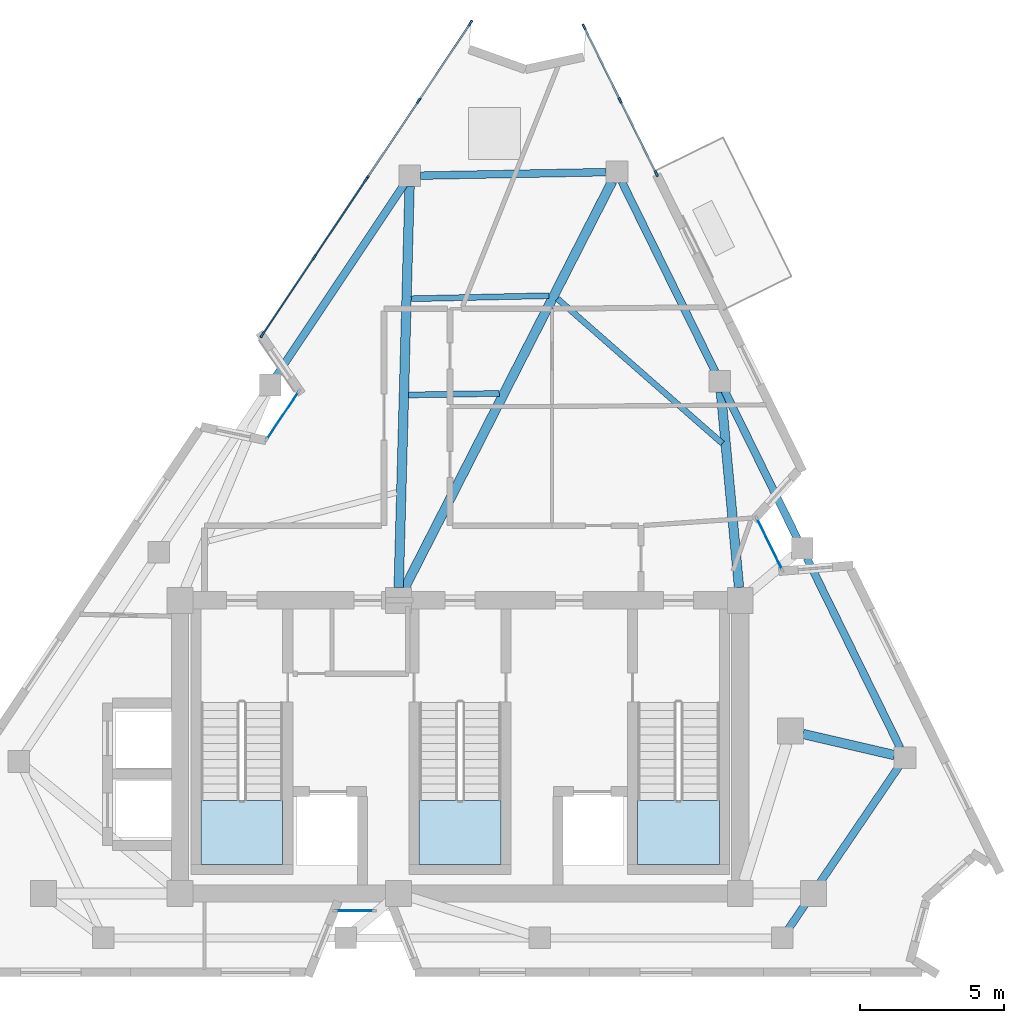
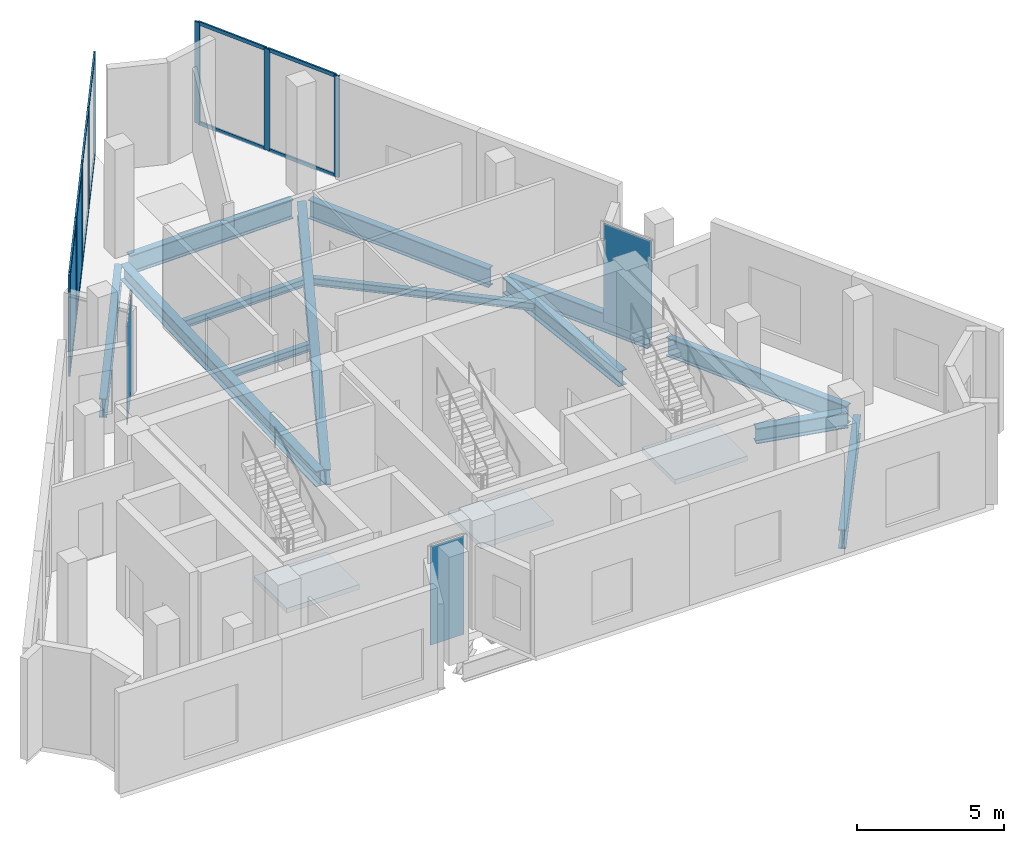
# One storey, part 3 of 8: 21 members, 13 beams, 5 plates, 3 slabs, 9 elements without a shape of their own.
"""IFC4 building model written with IfcOpenShell, lengths in metres."""

from ifc_helpers import new_model, si_unit, direction, frame, origin, origin_2d, place, context, subcontext, project, spatial, polyline, rectangle, i_section, outline, extrude, material, layer, layer_set, material_profile, profile_set, type_object, element, aggregate, save


model = new_model("IFC4")

# Units and contexts
model_context = context("Model", 3, precision=1e-05, world=origin(), true_north=direction((0.0, 1.0)))
body_context = subcontext(model_context, "Body", "Model", "MODEL_VIEW")
ifc_project = project(units=[si_unit("LENGTHUNIT", "METRE"), si_unit("AREAUNIT", "SQUARE_METRE"), si_unit("VOLUMEUNIT", "CUBIC_METRE"), si_unit("PLANEANGLEUNIT", "RADIAN"), si_unit("MASSUNIT", "GRAM", prefix="KILO")], contexts=[model_context])

# Site, building, storey
site_placement = place(None, origin())
site = spatial("IfcSite", under=ifc_project, at=site_placement, CompositionType="ELEMENT")
building_placement = place(site_placement, origin())
building = spatial("IfcBuilding", under=site, at=building_placement, Name="Almagre Mirador Tower", CompositionType="ELEMENT")
storey_placement = place(building_placement, frame((0.0, 0.0, 294.0)))
storey = spatial("IfcBuildingStorey", under=building, at=storey_placement, Name="L76", CompositionType="ELEMENT", Elevation=294.0)

# Beams
ifc_material_1 = material(Name="Steel ASTM A992 Grade 50", Category="steel")
ifc_material_profile_1 = material_profile(ifc_material_1, i_section(OverallWidth=0.205078125, OverallDepth=0.31005859375, WebThickness=0.009521484375, FlangeThickness=0.016357421875, FilletRadius=0.013916015625, at=origin_2d()), Name="W12X50")
ifc_profile_set_1 = profile_set([ifc_material_profile_1], Name="Steel ASTM A992 Grade 50")
beam_type_1 = type_object("IfcBeamType", Name="BM-JST-W12X50", PredefinedType="JOIST", material=ifc_profile_set_1)
beam_1_placement = place(storey_placement, frame((46.428955078125, 20.21044921875, -0.455078125), z_axis=(-0.751528342679, 0.659700803509, 0.0), x_axis=(-0.659700803509, -0.751528342679, 0.0)))
element("IfcBeam", 1, at=beam_1_placement, inside=storey, type_object=beam_type_1, Name="L76 secondary floor joist PC07-PC08.1", PredefinedType="JOIST", context=body_context, shape_type="SweptSolid", body=[
    extrude(i_section(OverallWidth=0.205078125, OverallDepth=0.31005859375, WebThickness=0.009521484375, FlangeThickness=0.016357421875, FilletRadius=0.013916015625, at=origin_2d()), origin(), (0.0, 0.0, 1.0), 7.638427734375),
])
beam_2_placement = place(storey_placement, frame((40.3994140625, 25.354736328125, -0.455078125), z_axis=(-0.999754080781, -0.022176067319, 0.0), x_axis=(0.022176067319, -0.999754080781, 0.0)))
element("IfcBeam", 2, at=beam_2_placement, inside=storey, type_object=beam_type_1, Name="L76 secondary floor joist PC08-PC09.1", PredefinedType="JOIST", context=body_context, shape_type="SweptSolid", body=[
    extrude(i_section(OverallWidth=0.205078125, OverallDepth=0.31005859375, WebThickness=0.009521484375, FlangeThickness=0.016357421875, FilletRadius=0.013916015625, at=origin_2d()), origin(), (0.0, 0.0, 1.0), 4.800048828125),
])
beam_3_placement = place(storey_placement, frame((38.662841796875, 21.952880859375, -0.455078125), z_axis=(-0.999854967676, -0.017030666839, 0.0), x_axis=(0.017030666839, -0.999854967676, 0.0)))
element("IfcBeam", 3, at=beam_3_placement, inside=storey, type_object=beam_type_1, Name="L76 secondary floor joist PC08-PC09.2", PredefinedType="JOIST", context=body_context, shape_type="SweptSolid", body=[
    extrude(i_section(OverallWidth=0.205078125, OverallDepth=0.31005859375, WebThickness=0.009521484375, FlangeThickness=0.016357421875, FilletRadius=0.013916015625, at=origin_2d()), origin(), (0.0, 0.0, 1.0), 3.15380859375),
])
ifc_material_2 = material(Name="Steel ASTM A992 Grade 50", Category="steel")
ifc_material_profile_2 = material_profile(ifc_material_2, i_section(OverallWidth=0.26708984375, OverallDepth=0.779052734375, WebThickness=0.0166015625, FlangeThickness=0.030029296875, FilletRadius=0.02392578125, at=origin_2d()), Name="W30X148")
ifc_profile_set_2 = profile_set([ifc_material_profile_2], Name="Steel ASTM A992 Grade 50")
beam_type_2 = type_object("IfcBeamType", Name="BM-SPN-W30X148", PredefinedType="SPANDREL", material=ifc_profile_set_2)
beam_4_placement = place(storey_placement, frame((48.726806640625, 3.31005859375, -0.689453125), z_axis=(0.562310021407, 0.82692650207, 0.0), x_axis=(-0.82692650207, 0.562310021407, 0.0)))
element("IfcBeam", 4, at=beam_4_placement, inside=storey, type_object=beam_type_2, Name="L76 perimeter spandrel beam PC04-PC05", PredefinedType="SPANDREL", context=body_context, shape_type="SweptSolid", body=[
    extrude(i_section(OverallWidth=0.26708984375, OverallDepth=0.779052734375, WebThickness=0.0166015625, FlangeThickness=0.030029296875, FilletRadius=0.02392578125, at=origin_2d()), origin(), (0.0, 0.0, 1.0), 6.842041015625),
])
beam_5_placement = place(storey_placement, frame((52.619384765625, 9.614501953125, -0.689453125), z_axis=(-0.441261435998, 0.897378596302, 0.0), x_axis=(-0.897378596302, -0.441261435998, 0.0)))
element("IfcBeam", 5, at=beam_5_placement, inside=storey, type_object=beam_type_2, Name="L76 perimeter spandrel beam PC05-PC06", PredefinedType="SPANDREL", context=body_context, shape_type="SweptSolid", body=[
    extrude(i_section(OverallWidth=0.26708984375, OverallDepth=0.779052734375, WebThickness=0.0166015625, FlangeThickness=0.030029296875, FilletRadius=0.02392578125, at=origin_2d()), origin(), (0.0, 0.0, 1.0), 7.362548828125),
])
beam_6_placement = place(storey_placement, frame((49.03955078125, 16.89453125, -0.689453125), z_axis=(-0.441283159843, 0.897367913867, 0.0), x_axis=(-0.897367913867, -0.441283159843, 0.0)))
element("IfcBeam", 6, at=beam_6_placement, inside=storey, type_object=beam_type_2, Name="L76 perimeter spandrel beam PC06-PC07", PredefinedType="SPANDREL", context=body_context, shape_type="SweptSolid", body=[
    extrude(i_section(OverallWidth=0.26708984375, OverallDepth=0.779052734375, WebThickness=0.0166015625, FlangeThickness=0.030029296875, FilletRadius=0.02392578125, at=origin_2d()), origin(), (0.0, 0.0, 1.0), 5.739990234375),
])
beam_7_placement = place(storey_placement, frame((46.175537109375, 22.718505859375, -0.689453125), z_axis=(-0.441288138853, 0.897365465408, 0.0), x_axis=(-0.897365465408, -0.441288138853, 0.0)))
element("IfcBeam", 7, at=beam_7_placement, inside=storey, type_object=beam_type_2, Name="L76 perimeter spandrel beam PC07-PC08", PredefinedType="SPANDREL", context=body_context, shape_type="SweptSolid", body=[
    extrude(i_section(OverallWidth=0.26708984375, OverallDepth=0.779052734375, WebThickness=0.0166015625, FlangeThickness=0.030029296875, FilletRadius=0.02392578125, at=origin_2d()), origin(), (0.0, 0.0, 1.0), 7.362548828125),
])
beam_8_placement = place(storey_placement, frame((42.385986328125, 29.65478515625, -0.689453125), z_axis=(-0.99982288109, -0.018820373253, 0.0), x_axis=(0.018820373253, -0.99982288109, 0.0)))
element("IfcBeam", 8, at=beam_8_placement, inside=storey, type_object=beam_type_2, Name="L76 perimeter spandrel beam PC08-PC09", PredefinedType="SPANDREL", context=body_context, shape_type="SweptSolid", body=[
    extrude(i_section(OverallWidth=0.26708984375, OverallDepth=0.779052734375, WebThickness=0.0166015625, FlangeThickness=0.030029296875, FilletRadius=0.02392578125, at=origin_2d()), origin(), (0.0, 0.0, 1.0), 6.460205078125),
])
beam_9_placement = place(storey_placement, frame((35.34375, 29.214111328125, -0.689453125), z_axis=(-0.555228061938, -0.831698141898, 0.0), x_axis=(0.831698141898, -0.555228061938, 0.0)))
element("IfcBeam", 9, at=beam_9_placement, inside=storey, type_object=beam_type_2, Name="L76 perimeter spandrel beam PC09-PC10", PredefinedType="SPANDREL", context=body_context, shape_type="SweptSolid", body=[
    extrude(i_section(OverallWidth=0.26708984375, OverallDepth=0.779052734375, WebThickness=0.0166015625, FlangeThickness=0.030029296875, FilletRadius=0.02392578125, at=origin_2d()), origin(), (0.0, 0.0, 1.0), 8.003173828125),
])
ifc_material_3 = material(Name="Steel ASTM A992 Grade 50", Category="steel")
ifc_material_profile_3 = material_profile(ifc_material_3, i_section(OverallWidth=0.330078125, OverallDepth=0.635009765625, WebThickness=0.017822265625, FlangeThickness=0.031005859375, FilletRadius=0.02001953125, at=origin_2d()), Name="W24X162")
ifc_profile_set_3 = profile_set([ifc_material_profile_3], Name="Steel ASTM A992 Grade 50")
beam_type_3 = type_object("IfcBeamType", Name="BM-STL-W24X162", PredefinedType="BEAM", material=ifc_profile_set_3)
beam_10_placement = place(storey_placement, frame((52.419677734375, 9.362548828125, -0.617431640625), z_axis=(-0.974262507949, 0.225416427094, 0.0), x_axis=(-0.225416427094, -0.974262507949, 0.0)))
element("IfcBeam", 10, at=beam_10_placement, inside=storey, type_object=beam_type_3, Name="L76 radial floor girder PC05-MC3", PredefinedType="BEAM", context=body_context, shape_type="SweptSolid", body=[
    extrude(i_section(OverallWidth=0.330078125, OverallDepth=0.635009765625, WebThickness=0.017822265625, FlangeThickness=0.031005859375, FilletRadius=0.02001953125, at=origin_2d()), origin(), (0.0, 0.0, 1.0), 3.265380859375),
])
beam_11_placement = place(storey_placement, frame((46.375732421875, 22.008544921875, -0.617431640625), z_axis=(0.092482640645, -0.995714296964, 0.0), x_axis=(0.995714296964, 0.092482640645, 0.0)))
element("IfcBeam", 11, at=beam_11_placement, inside=storey, type_object=beam_type_3, Name="L76 radial floor girder PC07-CC6", PredefinedType="BEAM", context=body_context, shape_type="SweptSolid", body=[
    extrude(i_section(OverallWidth=0.330078125, OverallDepth=0.635009765625, WebThickness=0.017822265625, FlangeThickness=0.031005859375, FilletRadius=0.02001953125, at=origin_2d()), origin(), (0.0, 0.0, 1.0), 6.83984375),
])
beam_12_placement = place(storey_placement, frame((42.590576171875, 29.327880859375, -0.617431640625), z_axis=(-0.454615883483, -0.890687598704, 0.0), x_axis=(0.890687598704, -0.454615883483, 0.0)))
element("IfcBeam", 12, at=beam_12_placement, inside=storey, type_object=beam_type_3, Name="L76 radial floor girder PC08-CC5", PredefinedType="BEAM", context=body_context, shape_type="SweptSolid", body=[
    extrude(i_section(OverallWidth=0.330078125, OverallDepth=0.635009765625, WebThickness=0.017822265625, FlangeThickness=0.031005859375, FilletRadius=0.02001953125, at=origin_2d()), origin(), (0.0, 0.0, 1.0), 15.9169921875),
])
beam_13_placement = place(storey_placement, frame((35.541748046875, 29.151123046875, -0.617431640625), z_axis=(-0.027201410592, -0.999629973171, 0.0), x_axis=(0.999629973171, -0.027201410592, 0.0)))
element("IfcBeam", 13, at=beam_13_placement, inside=storey, type_object=beam_type_3, Name="L76 radial floor girder PC09-CC5", PredefinedType="BEAM", context=body_context, shape_type="SweptSolid", body=[
    extrude(i_section(OverallWidth=0.330078125, OverallDepth=0.635009765625, WebThickness=0.017822265625, FlangeThickness=0.031005859375, FilletRadius=0.02001953125, at=origin_2d()), origin(), (0.0, 0.0, 1.0), 13.95654296875),
])

# Curtain wall, members
ifc_material_4 = material(Name="Black anodized aluminium", Category="aluminium")
ifc_layer_1 = layer(ifc_material_4, 0.22998046875)
ifc_layer_set_1 = layer_set([ifc_layer_1], Name="Black anodized aluminium")
curtain_wall_type_1 = type_object("IfcCurtainWallType", Name="CW-SKY-SYS", PredefinedType="NOTDEFINED", material=ifc_layer_set_1)
curtain_wall_1_placement = place(storey_placement, origin())
curtain_wall_1 = element("IfcCurtainWall", 14, at=curtain_wall_1_placement, inside=storey, type_object=curtain_wall_type_1, Name="L76 curtain wall run 02", PredefinedType="NOTDEFINED")
ifc_material_5 = material(Name="Black anodized aluminium", Category="aluminium")
ifc_material_profile_4 = material_profile(ifc_material_5, rectangle(XDim=0.070068359375, YDim=0.2099609375, at=origin_2d()), Name="CWM70X210")
ifc_profile_set_4 = profile_set([ifc_material_profile_4], Name="Black anodized aluminium")
member_type_1 = type_object("IfcMemberType", Name="MBR-CWM70X210", PredefinedType="MULLION", material=ifc_profile_set_4)
member_1_placement = place(storey_placement, frame((30.413330078125, 23.989013671875, 0.0), z_axis=(0.0, 0.0, 1.0), x_axis=(-0.83171011175, 0.555210131404, 0.0)))
member_1 = element("IfcMember", 15, at=member_1_placement, type_object=member_type_1, Name="CW-5 mullion 1", PredefinedType="MULLION", context=body_context, shape_type="SweptSolid", body=[
    extrude(rectangle(XDim=0.070068359375, YDim=0.2099609375, at=origin_2d()), origin(), (0.0, 0.0, 1.0), 4.199951171875),
])
member_2_placement = place(storey_placement, frame((32.21533203125, 26.688232421875, 0.0), z_axis=(0.0, 0.0, 1.0), x_axis=(-0.83171011175, 0.555210131404, 0.0)))
member_2 = element("IfcMember", 16, at=member_2_placement, type_object=member_type_1, Name="CW-5 mullion 2", PredefinedType="MULLION", context=body_context, shape_type="SweptSolid", body=[
    extrude(rectangle(XDim=0.070068359375, YDim=0.2099609375, at=origin_2d()), origin(), (0.0, 0.0, 1.0), 4.199951171875),
])
member_3_placement = place(storey_placement, frame((34.01708984375, 29.387451171875, 0.0), z_axis=(0.0, 0.0, 1.0), x_axis=(-0.83171011175, 0.555210131404, 0.0)))
member_3 = element("IfcMember", 17, at=member_3_placement, type_object=member_type_1, Name="CW-5 mullion 3", PredefinedType="MULLION", context=body_context, shape_type="SweptSolid", body=[
    extrude(rectangle(XDim=0.070068359375, YDim=0.2099609375, at=origin_2d()), origin(), (0.0, 0.0, 1.0), 4.199951171875),
])

curtain_wall_2_placement = place(storey_placement, origin())
curtain_wall_2 = element("IfcCurtainWall", 18, at=curtain_wall_2_placement, inside=storey, type_object=curtain_wall_type_1, Name="L76 curtain wall run 03", PredefinedType="NOTDEFINED")
member_4_placement = place(storey_placement, frame((34.055908203125, 29.445556640625, 0.0), z_axis=(0.0, 0.0, 1.0), x_axis=(-0.83171011175, 0.555210131404, 0.0)))
member_4 = element("IfcMember", 19, at=member_4_placement, type_object=member_type_1, Name="CW-5 mullion 1", PredefinedType="MULLION", context=body_context, shape_type="SweptSolid", body=[
    extrude(rectangle(XDim=0.070068359375, YDim=0.2099609375, at=origin_2d()), origin(), (0.0, 0.0, 1.0), 4.199951171875),
])
member_5_placement = place(storey_placement, frame((35.857666015625, 32.144775390625, 0.0), z_axis=(0.0, 0.0, 1.0), x_axis=(-0.83171011175, 0.555210131404, 0.0)))
member_5 = element("IfcMember", 20, at=member_5_placement, type_object=member_type_1, Name="CW-5 mullion 2", PredefinedType="MULLION", context=body_context, shape_type="SweptSolid", body=[
    extrude(rectangle(XDim=0.070068359375, YDim=0.2099609375, at=origin_2d()), origin(), (0.0, 0.0, 1.0), 4.199951171875),
])
member_6_placement = place(storey_placement, frame((37.65966796875, 34.843994140625, 0.0), z_axis=(0.0, 0.0, 1.0), x_axis=(-0.83171011175, 0.555210131404, 0.0)))
member_6 = element("IfcMember", 21, at=member_6_placement, type_object=member_type_1, Name="CW-5 mullion 3", PredefinedType="MULLION", context=body_context, shape_type="SweptSolid", body=[
    extrude(rectangle(XDim=0.070068359375, YDim=0.2099609375, at=origin_2d()), origin(), (0.0, 0.0, 1.0), 4.199951171875),
])

curtain_wall_3_placement = place(storey_placement, origin())
curtain_wall_3 = element("IfcCurtainWall", 22, at=curtain_wall_3_placement, inside=storey, type_object=curtain_wall_type_1, Name="L76 curtain wall run 04", PredefinedType="NOTDEFINED")
member_7_placement = place(storey_placement, frame((41.61865234375, 34.705078125, 0.0), z_axis=(0.0, 0.0, 1.0), x_axis=(0.897371508348, 0.441275850241, 0.0)))
member_7 = element("IfcMember", 23, at=member_7_placement, type_object=member_type_1, Name="CW-5 mullion 1", PredefinedType="MULLION", context=body_context, shape_type="SweptSolid", body=[
    extrude(rectangle(XDim=0.070068359375, YDim=0.2099609375, at=origin_2d()), origin(), (0.0, 0.0, 1.0), 4.199951171875),
])
member_8_placement = place(storey_placement, frame((42.873046875, 32.154052734375, 0.0), z_axis=(0.0, 0.0, 1.0), x_axis=(0.897371508348, 0.441275850241, 0.0)))
member_8 = element("IfcMember", 24, at=member_8_placement, type_object=member_type_1, Name="CW-5 mullion 2", PredefinedType="MULLION", context=body_context, shape_type="SweptSolid", body=[
    extrude(rectangle(XDim=0.070068359375, YDim=0.2099609375, at=origin_2d()), origin(), (0.0, 0.0, 1.0), 4.199951171875),
])
member_9_placement = place(storey_placement, frame((44.127685546875, 29.60302734375, 0.0), z_axis=(0.0, 0.0, 1.0), x_axis=(0.897371508348, 0.441275850241, 0.0)))
member_9 = element("IfcMember", 25, at=member_9_placement, type_object=member_type_1, Name="CW-5 mullion 3", PredefinedType="MULLION", context=body_context, shape_type="SweptSolid", body=[
    extrude(rectangle(XDim=0.070068359375, YDim=0.2099609375, at=origin_2d()), origin(), (0.0, 0.0, 1.0), 4.199951171875),
])

# Member
ifc_material_6 = material(Name="Black anodized aluminium", Category="aluminium")
ifc_material_profile_5 = material_profile(ifc_material_6, rectangle(XDim=0.06494140625, YDim=0.14990234375, at=origin_2d()), Name="CWT65X150")
ifc_profile_set_5 = profile_set([ifc_material_profile_5], Name="Black anodized aluminium")
member_type_2 = type_object("IfcMemberType", Name="MBR-CWT65X150", PredefinedType="USERDEFINED", material=ifc_profile_set_5)
member_10_placement = place(storey_placement, frame((30.432861328125, 24.018310546875, 0.032470703125), z_axis=(0.555214654242, 0.8317070925, 0.0), x_axis=(-0.8317070925, 0.555214654242, 0.0)))
member_10 = element("IfcMember", 26, at=member_10_placement, type_object=member_type_2, Name="CW-5 transom 1.1", ObjectType="TRANSOM", PredefinedType="USERDEFINED", context=body_context, shape_type="SweptSolid", body=[
    extrude(rectangle(XDim=0.06494140625, YDim=0.14990234375, at=origin_2d()), origin(), (0.0, 0.0, 1.0), 3.17529296875),
])

member_11_placement = place(storey_placement, frame((30.432861328125, 24.018310546875, 4.16748046875), z_axis=(0.555214654242, 0.8317070925, 0.0), x_axis=(-0.8317070925, 0.555214654242, 0.0)))
member_11 = element("IfcMember", 27, at=member_11_placement, type_object=member_type_2, Name="CW-5 transom 1.2", ObjectType="TRANSOM", PredefinedType="USERDEFINED", context=body_context, shape_type="SweptSolid", body=[
    extrude(rectangle(XDim=0.06494140625, YDim=0.14990234375, at=origin_2d()), origin(), (0.0, 0.0, 1.0), 3.17529296875),
])

member_12_placement = place(storey_placement, frame((32.234619140625, 26.71728515625, 0.032470703125), z_axis=(0.555179150567, 0.831730792249, 0.0), x_axis=(-0.831730792249, 0.555179150567, 0.0)))
member_12 = element("IfcMember", 28, at=member_12_placement, type_object=member_type_2, Name="CW-5 transom 2.1", ObjectType="TRANSOM", PredefinedType="USERDEFINED", context=body_context, shape_type="SweptSolid", body=[
    extrude(rectangle(XDim=0.06494140625, YDim=0.14990234375, at=origin_2d()), origin(), (0.0, 0.0, 1.0), 3.175537109375),
])

member_13_placement = place(storey_placement, frame((32.234619140625, 26.71728515625, 4.16748046875), z_axis=(0.555179150567, 0.831730792249, 0.0), x_axis=(-0.831730792249, 0.555179150567, 0.0)))
member_13 = element("IfcMember", 29, at=member_13_placement, type_object=member_type_2, Name="CW-5 transom 2.2", ObjectType="TRANSOM", PredefinedType="USERDEFINED", context=body_context, shape_type="SweptSolid", body=[
    extrude(rectangle(XDim=0.06494140625, YDim=0.14990234375, at=origin_2d()), origin(), (0.0, 0.0, 1.0), 3.175537109375),
])

member_14_placement = place(storey_placement, frame((34.075439453125, 29.474609375, 0.032470703125), z_axis=(0.555179150567, 0.831730792249, 0.0), x_axis=(-0.831730792249, 0.555179150567, 0.0)))
member_14 = element("IfcMember", 30, at=member_14_placement, type_object=member_type_2, Name="CW-5 transom 1.1", ObjectType="TRANSOM", PredefinedType="USERDEFINED", context=body_context, shape_type="SweptSolid", body=[
    extrude(rectangle(XDim=0.06494140625, YDim=0.14990234375, at=origin_2d()), origin(), (0.0, 0.0, 1.0), 3.175537109375),
])

member_15_placement = place(storey_placement, frame((34.075439453125, 29.474609375, 4.16748046875), z_axis=(0.555179150567, 0.831730792249, 0.0), x_axis=(-0.831730792249, 0.555179150567, 0.0)))
member_15 = element("IfcMember", 31, at=member_15_placement, type_object=member_type_2, Name="CW-5 transom 1.2", ObjectType="TRANSOM", PredefinedType="USERDEFINED", context=body_context, shape_type="SweptSolid", body=[
    extrude(rectangle(XDim=0.06494140625, YDim=0.14990234375, at=origin_2d()), origin(), (0.0, 0.0, 1.0), 3.175537109375),
])

member_16_placement = place(storey_placement, frame((35.877197265625, 32.173828125, 0.032470703125), z_axis=(0.555214654242, 0.8317070925, 0.0), x_axis=(-0.8317070925, 0.555214654242, 0.0)))
member_16 = element("IfcMember", 32, at=member_16_placement, type_object=member_type_2, Name="CW-5 transom 2.1", ObjectType="TRANSOM", PredefinedType="USERDEFINED", context=body_context, shape_type="SweptSolid", body=[
    extrude(rectangle(XDim=0.06494140625, YDim=0.14990234375, at=origin_2d()), origin(), (0.0, 0.0, 1.0), 3.17529296875),
])

member_17_placement = place(storey_placement, frame((35.877197265625, 32.173828125, 4.16748046875), z_axis=(0.555214654242, 0.8317070925, 0.0), x_axis=(-0.8317070925, 0.555214654242, 0.0)))
member_17 = element("IfcMember", 33, at=member_17_placement, type_object=member_type_2, Name="CW-5 transom 2.2", ObjectType="TRANSOM", PredefinedType="USERDEFINED", context=body_context, shape_type="SweptSolid", body=[
    extrude(rectangle(XDim=0.06494140625, YDim=0.14990234375, at=origin_2d()), origin(), (0.0, 0.0, 1.0), 3.17529296875),
])

aggregate(curtain_wall_2, [member_4, member_5, member_6, member_14, member_15, member_16, member_17])

member_18_placement = place(storey_placement, frame((41.634033203125, 34.673828125, 0.032470703125), z_axis=(0.441287111842, -0.89736597045, 0.0), x_axis=(0.89736597045, 0.441287111842, 0.0)))
member_18 = element("IfcMember", 34, at=member_18_placement, type_object=member_type_2, Name="CW-5 transom 1.1", ObjectType="TRANSOM", PredefinedType="USERDEFINED", context=body_context, shape_type="SweptSolid", body=[
    extrude(rectangle(XDim=0.06494140625, YDim=0.14990234375, at=origin_2d()), origin(), (0.0, 0.0, 1.0), 2.77294921875),
])

member_19_placement = place(storey_placement, frame((41.634033203125, 34.673828125, 4.16748046875), z_axis=(0.441287111842, -0.89736597045, 0.0), x_axis=(0.89736597045, 0.441287111842, 0.0)))
member_19 = element("IfcMember", 35, at=member_19_placement, type_object=member_type_2, Name="CW-5 transom 1.2", ObjectType="TRANSOM", PredefinedType="USERDEFINED", context=body_context, shape_type="SweptSolid", body=[
    extrude(rectangle(XDim=0.06494140625, YDim=0.14990234375, at=origin_2d()), origin(), (0.0, 0.0, 1.0), 2.77294921875),
])

member_20_placement = place(storey_placement, frame((42.888671875, 32.12255859375, 0.032470703125), z_axis=(0.441287111842, -0.89736597045, 0.0), x_axis=(0.89736597045, 0.441287111842, 0.0)))
member_20 = element("IfcMember", 36, at=member_20_placement, type_object=member_type_2, Name="CW-5 transom 2.1", ObjectType="TRANSOM", PredefinedType="USERDEFINED", context=body_context, shape_type="SweptSolid", body=[
    extrude(rectangle(XDim=0.06494140625, YDim=0.14990234375, at=origin_2d()), origin(), (0.0, 0.0, 1.0), 2.77294921875),
])

member_21_placement = place(storey_placement, frame((42.888671875, 32.12255859375, 4.16748046875), z_axis=(0.441287111842, -0.89736597045, 0.0), x_axis=(0.89736597045, 0.441287111842, 0.0)))
member_21 = element("IfcMember", 37, at=member_21_placement, type_object=member_type_2, Name="CW-5 transom 2.2", ObjectType="TRANSOM", PredefinedType="USERDEFINED", context=body_context, shape_type="SweptSolid", body=[
    extrude(rectangle(XDim=0.06494140625, YDim=0.14990234375, at=origin_2d()), origin(), (0.0, 0.0, 1.0), 2.77294921875),
])

aggregate(curtain_wall_3, [member_7, member_8, member_9, member_18, member_19, member_20, member_21])

# Curtain wall, plate
ifc_material_7 = material(Name="Black anodized aluminium", Category="aluminium")
ifc_layer_2 = layer(ifc_material_7, 0.169921875)
ifc_layer_set_2 = layer_set([ifc_layer_2], Name="Black anodized aluminium")
curtain_wall_type_2 = type_object("IfcCurtainWallType", Name="CW-CRS-SYS", PredefinedType="NOTDEFINED", material=ifc_layer_set_2)
curtain_wall_4_placement = place(storey_placement, origin())
curtain_wall_4 = element("IfcCurtainWall", 38, at=curtain_wall_4_placement, inside=storey, type_object=curtain_wall_type_2, Name="L76 vertical crease curtain wall 01", PredefinedType="NOTDEFINED")
ifc_material_8 = material(Name="Dark solar-control laminated hurricane glass", Category="glass")
ifc_layer_3 = layer(ifc_material_8, 0.028076171875)
ifc_layer_set_3 = layer_set([ifc_layer_3], Name="Dark solar-control laminated hurricane glass")
plate_type_1 = type_object("IfcPlateType", Name="PLT-GLZ-28", PredefinedType="CURTAIN_PANEL", material=ifc_layer_set_3)
plate_1_placement = place(storey_placement, frame((31.126953125, 21.18603515625, 0.06005859375), z_axis=(0.0, 0.0, 1.0), x_axis=(0.555141875507, 0.831755672093, 0.0)))
plate_1 = element("IfcPlate", 39, at=plate_1_placement, type_object=plate_type_1, Name="CW-4 panel 1.1", PredefinedType="CURTAIN_PANEL", context=body_context, shape_type="SweptSolid", body=[
    extrude(rectangle(XDim=1.969482421875, YDim=0.028076171875, at=origin_2d()), origin(), (0.0, 0.0, 1.0), 4.080078125),
])
aggregate(curtain_wall_4, [plate_1])

curtain_wall_5_placement = place(storey_placement, origin())
curtain_wall_5 = element("IfcCurtainWall", 40, at=curtain_wall_5_placement, inside=storey, type_object=curtain_wall_type_2, Name="L76 vertical crease curtain wall 05", PredefinedType="NOTDEFINED")
plate_2_placement = place(storey_placement, frame((48.070068359375, 16.71337890625, 0.06005859375), z_axis=(0.0, 0.0, 1.0), x_axis=(0.441269112304, -0.897374821647, 0.0)))
plate_2 = element("IfcPlate", 41, at=plate_2_placement, type_object=plate_type_1, Name="CW-4 panel 1.1", PredefinedType="CURTAIN_PANEL", context=body_context, shape_type="SweptSolid", body=[
    extrude(rectangle(XDim=1.969482421875, YDim=0.028076171875, at=origin_2d()), origin(), (0.0, 0.0, 1.0), 4.080078125),
])
aggregate(curtain_wall_5, [plate_2])

curtain_wall_6_placement = place(storey_placement, origin())
curtain_wall_6 = element("IfcCurtainWall", 42, at=curtain_wall_6_placement, inside=storey, type_object=curtain_wall_type_2, Name="L76 vertical crease curtain wall 06", PredefinedType="NOTDEFINED")
plate_3_placement = place(storey_placement, frame((33.62939453125, 3.949951171875, 0.06005859375), z_axis=(0.0, 0.0, 1.0), x_axis=(-1.0, 0.0, 0.0)))
plate_3 = element("IfcPlate", 43, at=plate_3_placement, type_object=plate_type_1, Name="CW-4 panel 1.1", PredefinedType="CURTAIN_PANEL", context=body_context, shape_type="SweptSolid", body=[
    extrude(rectangle(XDim=1.301025390625, YDim=0.028076171875, at=origin_2d()), origin(), (0.0, 0.0, 1.0), 4.080078125),
])
aggregate(curtain_wall_6, [plate_3])

# Plate
ifc_material_9 = material(Name="Dark solar-control laminated hurricane glass", Category="glass")
ifc_layer_4 = layer(ifc_material_9, 0.0400390625)
ifc_layer_set_4 = layer_set([ifc_layer_4], Name="Dark solar-control laminated hurricane glass")
plate_type_2 = type_object("IfcPlateType", Name="PLT-GLZ-40", PredefinedType="CURTAIN_PANEL", material=ifc_layer_set_4)
plate_4_placement = place(storey_placement, frame((31.314453125, 25.338623046875, 0.06494140625), z_axis=(0.0, 0.0, 1.0), x_axis=(0.555210131404, 0.83171011175, 0.0)))
plate_4 = element("IfcPlate", 44, at=plate_4_placement, type_object=plate_type_2, Name="CW-5 panel 1.1", PredefinedType="CURTAIN_PANEL", context=body_context, shape_type="SweptSolid", body=[
    extrude(rectangle(XDim=3.17529296875, YDim=0.0400390625, at=origin_2d()), origin(), (0.0, 0.0, 1.0), 4.070068359375),
])

plate_5_placement = place(storey_placement, frame((33.1162109375, 28.037841796875, 0.06494140625), z_axis=(0.0, 0.0, 1.0), x_axis=(0.555210131404, 0.83171011175, 0.0)))
plate_5 = element("IfcPlate", 45, at=plate_5_placement, type_object=plate_type_2, Name="CW-5 panel 2.1", PredefinedType="CURTAIN_PANEL", context=body_context, shape_type="SweptSolid", body=[
    extrude(rectangle(XDim=3.17529296875, YDim=0.0400390625, at=origin_2d()), origin(), (0.0, 0.0, 1.0), 4.070068359375),
])

aggregate(curtain_wall_1, [member_1, member_2, member_3, member_10, member_11, plate_4, member_12, member_13, plate_5])

# Stair, slab
ifc_material_10 = material(Name="Concrete C45/55", Category="concrete")
stair_type = type_object("IfcStairType", Name="STR-DL-4500", PredefinedType="HALF_TURN_STAIR", material=ifc_material_10)
stair_1_placement = place(storey_placement, origin())
stair_1 = element("IfcStair", 46, at=stair_1_placement, inside=storey, type_object=stair_type, Name="L76 Protected exit stair ST-1", PredefinedType="HALF_TURN_STAIR")
ifc_material_11 = material(Name="Concrete C45/55", Category="concrete")
ifc_layer_5 = layer(ifc_material_11, 0.199951171875)
ifc_layer_set_5 = layer_set([ifc_layer_5], Name="Concrete C45/55")
slab_type = type_object("IfcSlabType", Name="SLB-LND-200", PredefinedType="LANDING", material=ifc_layer_set_5)
slab_1_placement = place(storey_placement, frame((0.0, 0.0, 2.050048828125)))
slab_1 = element("IfcSlab", 47, at=slab_1_placement, type_object=slab_type, Name="ST-1 landing 1", PredefinedType="LANDING", context=body_context, shape_type="SweptSolid", body=[
    extrude(outline(polyline([(28.27490234375, 7.780029296875), (28.27490234375, 5.550048828125), (31.125, 5.550048828125), (31.125, 7.780029296875), (28.27490234375, 7.780029296875)])), origin(), (0.0, 0.0, 1.0), 0.199951171875),
])
aggregate(stair_1, [slab_1])

stair_2_placement = place(storey_placement, origin())
stair_2 = element("IfcStair", 48, at=stair_2_placement, inside=storey, type_object=stair_type, Name="L76 Protected exit stair ST-2", PredefinedType="HALF_TURN_STAIR")
slab_2_placement = place(storey_placement, frame((0.0, 0.0, 2.050048828125)))
slab_2 = element("IfcSlab", 49, at=slab_2_placement, type_object=slab_type, Name="ST-2 landing 1", PredefinedType="LANDING", context=body_context, shape_type="SweptSolid", body=[
    extrude(outline(polyline([(35.875, 7.780029296875), (35.875, 5.550048828125), (38.72509765625, 5.550048828125), (38.72509765625, 7.780029296875), (35.875, 7.780029296875)])), origin(), (0.0, 0.0, 1.0), 0.199951171875),
])
aggregate(stair_2, [slab_2])

stair_3_placement = place(storey_placement, origin())
stair_3 = element("IfcStair", 50, at=stair_3_placement, inside=storey, type_object=stair_type, Name="L76 Protected exit stair ST-3", PredefinedType="HALF_TURN_STAIR")
slab_3_placement = place(storey_placement, frame((0.0, 0.0, 2.050048828125)))
slab_3 = element("IfcSlab", 51, at=slab_3_placement, type_object=slab_type, Name="ST-3 landing 1", PredefinedType="LANDING", context=body_context, shape_type="SweptSolid", body=[
    extrude(outline(polyline([(43.47509765625, 7.780029296875), (43.47509765625, 5.550048828125), (46.324951171875, 5.550048828125), (46.324951171875, 7.780029296875), (43.47509765625, 7.780029296875)])), origin(), (0.0, 0.0, 1.0), 0.199951171875),
])
aggregate(stair_3, [slab_3])

save(model, "model.ifc")
